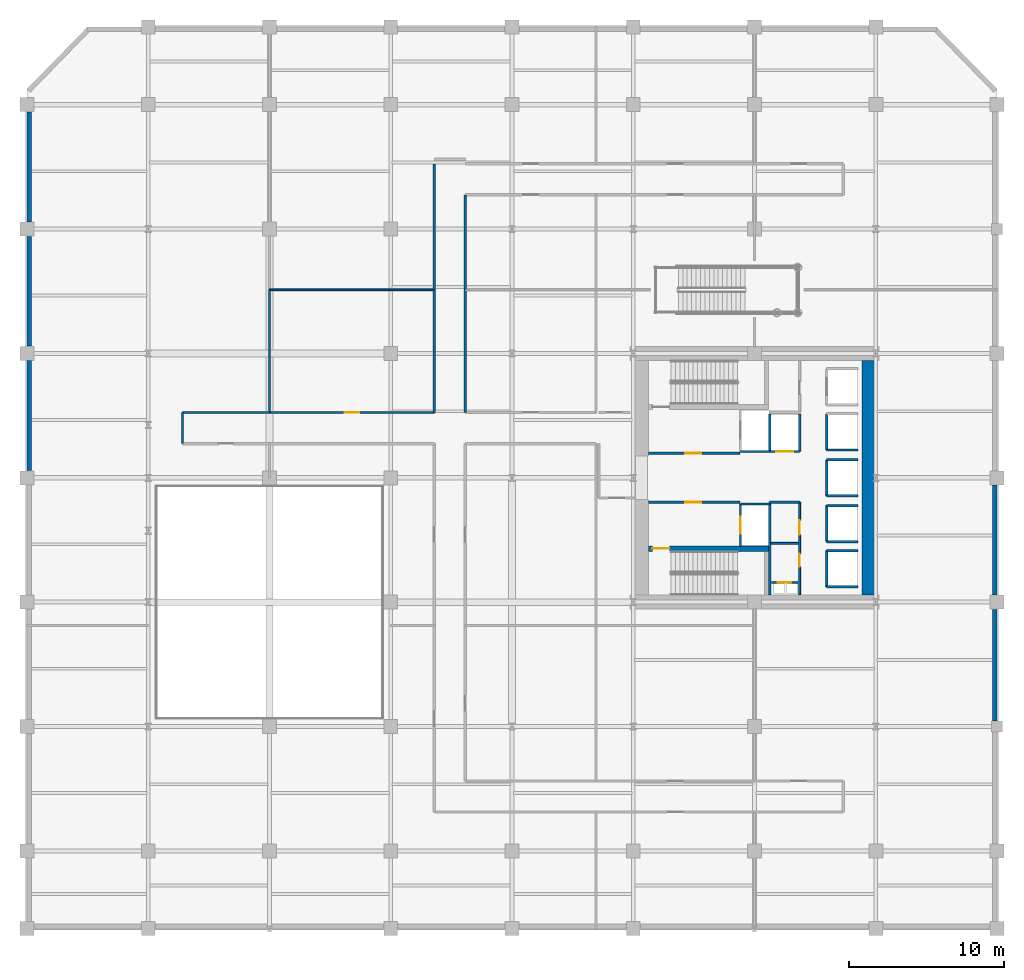
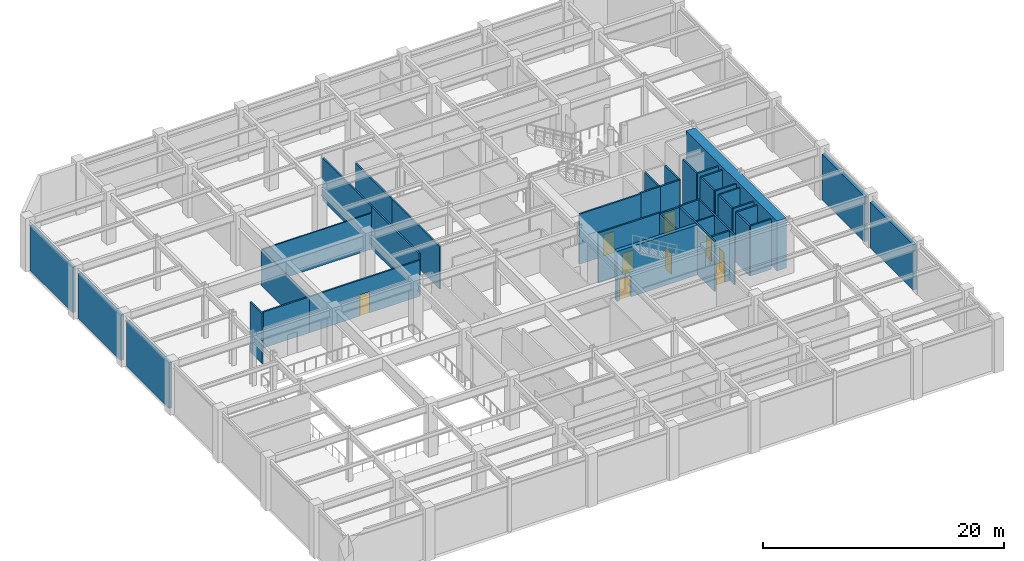
# One storey, part 9 of 13: 40 walls, 9 doors, 9 openings.
"""IFC4 building model written with IfcOpenShell, lengths in metres."""

from ifc_helpers import new_model, si_unit, direction, frame, frame_2d, origin, place, context, subcontext, project, spatial, rectangle, extrude, material, layer, layer_set, type_object, element, fill, save


model = new_model("IFC4")

# Units and contexts
model_context = context("Model", 3, precision=1e-05, world=origin(), true_north=direction((0.0, 1.0)))
body_context = subcontext(model_context, "Body", "Model", "MODEL_VIEW")
ifc_project = project(units=[si_unit("LENGTHUNIT", "METRE"), si_unit("AREAUNIT", "SQUARE_METRE"), si_unit("VOLUMEUNIT", "CUBIC_METRE"), si_unit("PLANEANGLEUNIT", "RADIAN"), si_unit("MASSUNIT", "GRAM", prefix="KILO")], contexts=[model_context])

# Site, building, storey
site_placement = place(None, origin())
site = spatial("IfcSite", under=ifc_project, at=site_placement, CompositionType="ELEMENT")
building_placement = place(site_placement, origin())
building = spatial("IfcBuilding", under=site, at=building_placement, Name="Veymaron Broadcast Tower", CompositionType="ELEMENT")
storey_placement = place(building_placement, frame((0.0, 0.0, 21.60009765625)))
storey = spatial("IfcBuildingStorey", under=building, at=storey_placement, Name="L04", CompositionType="ELEMENT", Elevation=21.60009765625)

# Walls
ifc_material_1 = material(Name="Precast concrete C40/50 with mineral-wool insulation", Category="concrete")
ifc_layer_1 = layer(ifc_material_1, 0.300048828125)
ifc_layer_set_1 = layer_set([ifc_layer_1], Name="Precast concrete C40/50 with mineral-wool insulation")
wall_type_1 = type_object("IfcWallType", Name="WALL-EXT-300", PredefinedType="STANDARD", material=ifc_layer_set_1)
wall_1_placement = place(storey_placement, frame((62.260009765625, 8.367919921875, 0.0), z_axis=(0.0, 0.0, 1.0), x_axis=(0.0, 1.0, 0.0)))
element("IfcWall", 1, at=wall_1_placement, inside=storey, type_object=wall_type_1, Name="L04 notched corner facade pier 2-3", PredefinedType="STANDARD", context=body_context, shape_type="SweptSolid", body=[
    extrude(rectangle(XDim=7.1640625, YDim=0.300048828125, at=frame_2d((3.58203125, 0.0))), origin(), (0.0, 0.0, 1.0), 4.60791015625),
])
for number, where, z_axis, x_axis, name in (
    (2, (62.260009765625, 16.468017578125, 0.0), (0.0, 0.0, 1.0), (0.0, 1.0, 0.0), "L04 notched corner facade pier 2-4"),
    (3, (0.139892578125, 47.531982421875, 0.0), (0.0, 0.0, 1.0), (0.0, -1.0, 0.0), "L04 notched corner facade pier 6-1"),
    (4, (0.139892578125, 39.531982421875, 0.0), (0.0, 0.0, 1.0), (0.0, -1.0, 0.0), "L04 notched corner facade pier 6-2"),
    (5, (0.139892578125, 31.531982421875, 0.0), (0.0, 0.0, 1.0), (0.0, -1.0, 0.0), "L04 notched corner facade pier 6-3"),
):
    element("IfcWall", number, at=place(storey_placement, frame(where, z_axis=z_axis, x_axis=x_axis)), inside=storey, type_object=wall_type_1, Name=name, PredefinedType="STANDARD", context=body_context, shape_type="SweptSolid", body=[
        extrude(rectangle(XDim=7.06396484375, YDim=0.300048828125, at=frame_2d((3.531982421875, 0.0))), origin(), (0.0, 0.0, 1.0), 4.60791015625),
    ])

# Wall, opening, door
ifc_material_2 = material(Name="Gypsum fireboard and steel stud framing", Category="steel")
ifc_layer_2 = layer(ifc_material_2, 0.14990234375)
ifc_layer_set_2 = layer_set([ifc_layer_2], Name="Gypsum fireboard and steel stud framing")
wall_type_2 = type_object("IfcWallType", Name="WALL-FIRE-150", PredefinedType="PARTITIONING", material=ifc_layer_set_2)
wall_2_placement = place(storey_placement, frame((39.97998046875, 25.574951171875, 0.0), z_axis=(0.0, 0.0, 1.0), x_axis=(1.0, 0.0, 0.0)))
wall_2 = element("IfcWall", 6, at=wall_2_placement, inside=storey, type_object=wall_type_2, Name="L04 partition IW-L04-FFLN-S", PredefinedType="PARTITIONING", context=body_context, shape_type="SweptSolid", body=[
    extrude(rectangle(XDim=5.89990234375, YDim=0.14990234375, at=frame_2d((2.949951171875, 0.0))), origin(), (0.0, 0.0, 1.0), 5.079833984375),
])
opening_1_placement = place(wall_2_placement, frame((2.35009765625, 0.0, 0.0)))
opening_1 = element("IfcOpeningElement", 7, at=opening_1_placement, cuts=wall_2, Name="Opening ID-FL1", PredefinedType="OPENING", context=body_context, shape_type="SweptSolid", body=[
    extrude(rectangle(XDim=1.050048828125, YDim=2.14990234375, at=frame_2d((0.52490234375, 1.074951171875))), frame((0.0, 0.0849609375, 0.0), z_axis=(0.0, -1.0, 0.0), x_axis=(1.0, 0.0, 0.0)), (0.0, 0.0, 1.0), 0.169921875),
])
ifc_material_3 = material(Name="Fire-rated painted hollow steel ASTM A653", Category="steel")
door_type_1 = type_object("IfcDoorType", Name="DOOR-FIRE-1050", OperationType="NOTDEFINED", PredefinedType="DOOR", material=ifc_material_3)
door_1_placement = place(opening_1_placement, origin())
door_1 = element("IfcDoor", 8, at=door_1_placement, inside=storey, type_object=door_type_1, Name="L04 door DR-L04-FFLN", OperationType="SINGLE_SWING_LEFT", OverallHeight=2.14990234375, OverallWidth=1.050048828125, PredefinedType="DOOR", context=body_context, shape_type="SweptSolid", body=[
    extrude(rectangle(XDim=1.050048828125, YDim=2.14990234375, at=frame_2d((0.52490234375, 1.074951171875))), frame((0.0, 0.02490234375, 0.0), z_axis=(0.0, -1.0, 0.0), x_axis=(1.0, 0.0, 0.0)), (0.0, 0.0, 1.0), 0.050048828125),
])
fill(opening_1, door_1)

wall_3_placement = place(storey_placement, frame((39.97998046875, 22.425048828125, 0.0), z_axis=(0.0, 0.0, 1.0), x_axis=(1.0, 0.0, 0.0)))
wall_3 = element("IfcWall", 9, at=wall_3_placement, inside=storey, type_object=wall_type_2, Name="L04 partition IW-L04-FFLS-N", PredefinedType="PARTITIONING", context=body_context, shape_type="SweptSolid", body=[
    extrude(rectangle(XDim=5.89990234375, YDim=0.14990234375, at=frame_2d((2.949951171875, 0.0))), origin(), (0.0, 0.0, 1.0), 5.079833984375),
])
opening_2_placement = place(wall_3_placement, frame((2.35009765625, 0.0, 0.0)))
opening_2 = element("IfcOpeningElement", 10, at=opening_2_placement, cuts=wall_3, Name="Opening ID-FL1", PredefinedType="OPENING", context=body_context, shape_type="SweptSolid", body=[
    extrude(rectangle(XDim=1.050048828125, YDim=2.14990234375, at=frame_2d((0.52490234375, 1.074951171875))), frame((0.0, 0.0849609375, 0.0), z_axis=(0.0, -1.0, 0.0), x_axis=(1.0, 0.0, 0.0)), (0.0, 0.0, 1.0), 0.169921875),
])
door_2_placement = place(opening_2_placement, frame((1.050048828125, 0.0, 0.0), z_axis=(0.0, 0.0, 1.0), x_axis=(-1.0, 0.0, 0.0)))
door_2 = element("IfcDoor", 11, at=door_2_placement, inside=storey, type_object=door_type_1, Name="L04 door DR-L04-FFLS", OperationType="SINGLE_SWING_RIGHT", OverallHeight=2.14990234375, OverallWidth=1.050048828125, PredefinedType="DOOR", context=body_context, shape_type="SweptSolid", body=[
    extrude(rectangle(XDim=1.050048828125, YDim=2.14990234375, at=frame_2d((0.52490234375, 1.074951171875))), frame((0.0, 0.02490234375, 0.0), z_axis=(0.0, -1.0, 0.0), x_axis=(1.0, 0.0, 0.0)), (0.0, 0.0, 1.0), 0.050048828125),
])
fill(opening_2, door_2)

# Wall
wall_4_placement = place(storey_placement, frame((45.89501953125, 25.68994140625, 0.0), z_axis=(0.0, 0.0, 1.0), x_axis=(1.0, 0.0, 0.0)))
element("IfcWall", 12, at=wall_4_placement, inside=storey, type_object=wall_type_2, Name="L04 partition IW-L04-SHS-FFL-1", PredefinedType="PARTITIONING", context=body_context, shape_type="SweptSolid", body=[
    extrude(rectangle(XDim=1.9150390625, YDim=0.14990234375, at=frame_2d((0.95751953125, 0.0))), origin(), (0.0, 0.0, 1.0), 5.079833984375),
])

# Wall, opening, door
wall_5_placement = place(storey_placement, frame((45.89501953125, 19.590087890625, 0.0), z_axis=(0.0, 0.0, 1.0), x_axis=(0.0, 1.0, 0.0)))
wall_5 = element("IfcWall", 13, at=wall_5_placement, inside=storey, type_object=wall_type_2, Name="L04 partition IW-L04-SHW-FFL-2", PredefinedType="PARTITIONING", context=body_context, shape_type="SweptSolid", body=[
    extrude(rectangle(XDim=2.719970703125, YDim=0.14990234375, at=frame_2d((1.35986328125, 0.0))), origin(), (0.0, 0.0, 1.0), 5.079833984375),
])
opening_3_placement = place(wall_5_placement, frame((0.81005859375, 0.0, 0.0)))
opening_3 = element("IfcOpeningElement", 14, at=opening_3_placement, cuts=wall_5, Name="Opening LD", PredefinedType="OPENING", context=body_context, shape_type="SweptSolid", body=[
    extrude(rectangle(XDim=1.10009765625, YDim=2.14990234375, at=frame_2d((0.550048828125, 1.074951171875))), frame((0.0, 0.0849609375, 0.0), z_axis=(0.0, -1.0, 0.0), x_axis=(1.0, 0.0, 0.0)), (0.0, 0.0, 1.0), 0.169921875),
])
ifc_material_4 = material(Name="Brushed stainless steel AISI 304", Category="steel")
door_type_2 = type_object("IfcDoorType", Name="DOOR-LIFT-1100", OperationType="DOUBLE_DOOR_SLIDING", PredefinedType="DOOR", material=ifc_material_4)
door_3_placement = place(opening_3_placement, frame((1.10009765625, 0.0, 0.0), z_axis=(0.0, 0.0, 1.0), x_axis=(-1.0, 0.0, 0.0)))
door_3 = element("IfcDoor", 15, at=door_3_placement, inside=storey, type_object=door_type_2, Name="L04 door LD-L04-FFL-2", OperationType="DOUBLE_DOOR_SLIDING", OverallHeight=2.14990234375, OverallWidth=1.10009765625, PredefinedType="DOOR", context=body_context, shape_type="SweptSolid", body=[
    extrude(rectangle(XDim=1.10009765625, YDim=2.14990234375, at=frame_2d((0.550048828125, 1.074951171875))), frame((0.0, 0.02490234375, 0.0), z_axis=(0.0, -1.0, 0.0), x_axis=(1.0, 0.0, 0.0)), (0.0, 0.0, 1.0), 0.050048828125),
])
fill(opening_3, door_3)

# Wall
wall_6_placement = place(storey_placement, frame((45.89501953125, 22.31005859375, 0.0), z_axis=(0.0, 0.0, 1.0), x_axis=(1.0, 0.0, 0.0)))
element("IfcWall", 16, at=wall_6_placement, inside=storey, type_object=wall_type_2, Name="L04 partition IW-L04-SHN-FFL-2", PredefinedType="PARTITIONING", context=body_context, shape_type="SweptSolid", body=[
    extrude(rectangle(XDim=1.9150390625, YDim=0.14990234375, at=frame_2d((0.95751953125, 0.0))), origin(), (0.0, 0.0, 1.0), 5.079833984375),
])

# Wall, opening, door
wall_7_placement = place(storey_placement, frame((47.7900390625, 25.695068359375, 0.0), z_axis=(0.0, 0.0, 1.0), x_axis=(1.0, 0.0, 0.0)))
wall_7 = element("IfcWall", 17, at=wall_7_placement, inside=storey, type_object=wall_type_2, Name="L04 partition IW-L04-SHS-SL-1", PredefinedType="PARTITIONING", context=body_context, shape_type="SweptSolid", body=[
    extrude(rectangle(XDim=1.919921875, YDim=0.14990234375, at=frame_2d((0.9599609375, 0.0))), origin(), (0.0, 0.0, 1.0), 5.079833984375),
])
opening_4_placement = place(wall_7_placement, frame((0.409912109375, 0.0, 0.0)))
opening_4 = element("IfcOpeningElement", 18, at=opening_4_placement, cuts=wall_7, Name="Opening LD", PredefinedType="OPENING", context=body_context, shape_type="SweptSolid", body=[
    extrude(rectangle(XDim=1.10009765625, YDim=2.14990234375, at=frame_2d((0.550048828125, 1.074951171875))), frame((0.0, 0.0849609375, 0.0), z_axis=(0.0, -1.0, 0.0), x_axis=(1.0, 0.0, 0.0)), (0.0, 0.0, 1.0), 0.169921875),
])
door_4_placement = place(opening_4_placement, frame((1.10009765625, 0.0, 0.0), z_axis=(0.0, 0.0, 1.0), x_axis=(-1.0, 0.0, 0.0)))
door_4 = element("IfcDoor", 19, at=door_4_placement, inside=storey, type_object=door_type_2, Name="L04 door LD-L04-SL-1", OperationType="DOUBLE_DOOR_SLIDING", OverallHeight=2.14990234375, OverallWidth=1.10009765625, PredefinedType="DOOR", context=body_context, shape_type="SweptSolid", body=[
    extrude(rectangle(XDim=1.10009765625, YDim=2.14990234375, at=frame_2d((0.550048828125, 1.074951171875))), frame((0.0, 0.02490234375, 0.0), z_axis=(0.0, -1.0, 0.0), x_axis=(1.0, 0.0, 0.0)), (0.0, 0.0, 1.0), 0.050048828125),
])
fill(opening_4, door_4)

# Walls
for number, where, z_axis, x_axis, name in (
    (20, (47.7900390625, 25.695068359375, 0.0), (0.0, 0.0, 1.0), (0.0, 1.0, 0.0), "L04 partition IW-L04-SHW-SL-1"),
    (21, (49.7099609375, 25.695068359375, 0.0), (0.0, 0.0, 1.0), (0.0, 1.0, 0.0), "L04 partition IW-L04-SHE-SL-1"),
):
    element("IfcWall", number, at=place(storey_placement, frame(where, z_axis=z_axis, x_axis=x_axis)), inside=storey, type_object=wall_type_2, Name=name, PredefinedType="PARTITIONING", context=body_context, shape_type="SweptSolid", body=[
        extrude(rectangle(XDim=2.4150390625, YDim=0.14990234375, at=frame_2d((1.20751953125, 0.0))), origin(), (0.0, 0.0, 1.0), 5.079833984375),
    ])
wall_8_placement = place(storey_placement, frame((51.445068359375, 25.7900390625, 0.0), z_axis=(0.0, 0.0, 1.0), x_axis=(0.0, 1.0, 0.0)))
element("IfcWall", 22, at=wall_8_placement, inside=storey, type_object=wall_type_2, Name="L04 partition IW-L04-SHW-PM1", PredefinedType="PARTITIONING", context=body_context, shape_type="SweptSolid", body=[
    extrude(rectangle(XDim=2.320068359375, YDim=0.14990234375, at=frame_2d((1.16015625, 0.0))), origin(), (0.0, 0.0, 1.0), 5.079833984375),
])
wall_9_placement = place(storey_placement, frame((51.445068359375, 25.7900390625, 0.0), z_axis=(0.0, 0.0, 1.0), x_axis=(1.0, 0.0, 0.0)))
element("IfcWall", 23, at=wall_9_placement, inside=storey, type_object=wall_type_2, Name="L04 partition IW-L04-SHS-PM1", PredefinedType="PARTITIONING", context=body_context, shape_type="SweptSolid", body=[
    extrude(rectangle(XDim=2.014892578125, YDim=0.14990234375, at=frame_2d((1.00732421875, 0.0))), origin(), (0.0, 0.0, 1.0), 5.079833984375),
])
wall_10_placement = place(storey_placement, frame((51.445068359375, 19.889892578125, 0.0), z_axis=(0.0, 0.0, 1.0), x_axis=(0.0, 1.0, 0.0)))
element("IfcWall", 24, at=wall_10_placement, inside=storey, type_object=wall_type_2, Name="L04 partition IW-L04-SHW-PM2", PredefinedType="PARTITIONING", context=body_context, shape_type="SweptSolid", body=[
    extrude(rectangle(XDim=2.320068359375, YDim=0.14990234375, at=frame_2d((1.16015625, 0.0))), origin(), (0.0, 0.0, 1.0), 5.079833984375),
])
for number, where, z_axis, x_axis, name in (
    (25, (51.445068359375, 19.889892578125, 0.0), (0.0, 0.0, 1.0), (1.0, 0.0, 0.0), "L04 partition IW-L04-SHS-PM2"),
    (26, (51.445068359375, 22.2099609375, 0.0), (0.0, 0.0, 1.0), (1.0, 0.0, 0.0), "L04 partition IW-L04-SHN-PM2"),
):
    element("IfcWall", number, at=place(storey_placement, frame(where, z_axis=z_axis, x_axis=x_axis)), inside=storey, type_object=wall_type_2, Name=name, PredefinedType="PARTITIONING", context=body_context, shape_type="SweptSolid", body=[
        extrude(rectangle(XDim=2.014892578125, YDim=0.14990234375, at=frame_2d((1.00732421875, 0.0))), origin(), (0.0, 0.0, 1.0), 5.079833984375),
    ])
wall_11_placement = place(storey_placement, frame((51.445068359375, 22.840087890625, 0.0), z_axis=(0.0, 0.0, 1.0), x_axis=(0.0, 1.0, 0.0)))
element("IfcWall", 27, at=wall_11_placement, inside=storey, type_object=wall_type_2, Name="L04 partition IW-L04-SHW-PM3", PredefinedType="PARTITIONING", context=body_context, shape_type="SweptSolid", body=[
    extrude(rectangle(XDim=2.31982421875, YDim=0.14990234375, at=frame_2d((1.159912109375, 0.0))), origin(), (0.0, 0.0, 1.0), 5.079833984375),
])
for number, where, z_axis, x_axis, name in (
    (28, (51.445068359375, 22.840087890625, 0.0), (0.0, 0.0, 1.0), (1.0, 0.0, 0.0), "L04 partition IW-L04-SHS-PM3"),
    (29, (51.445068359375, 25.159912109375, 0.0), (0.0, 0.0, 1.0), (1.0, 0.0, 0.0), "L04 partition IW-L04-SHN-PM3"),
):
    element("IfcWall", number, at=place(storey_placement, frame(where, z_axis=z_axis, x_axis=x_axis)), inside=storey, type_object=wall_type_2, Name=name, PredefinedType="PARTITIONING", context=body_context, shape_type="SweptSolid", body=[
        extrude(rectangle(XDim=2.014892578125, YDim=0.14990234375, at=frame_2d((1.00732421875, 0.0))), origin(), (0.0, 0.0, 1.0), 5.079833984375),
    ])
wall_12_placement = place(storey_placement, frame((51.445068359375, 16.989990234375, 0.0), z_axis=(0.0, 0.0, 1.0), x_axis=(0.0, 1.0, 0.0)))
element("IfcWall", 30, at=wall_12_placement, inside=storey, type_object=wall_type_2, Name="L04 partition IW-L04-SHW-PH1", PredefinedType="PARTITIONING", context=body_context, shape_type="SweptSolid", body=[
    extrude(rectangle(XDim=2.320068359375, YDim=0.14990234375, at=frame_2d((1.16015625, 0.0))), origin(), (0.0, 0.0, 1.0), 5.079833984375),
])
for number, where, z_axis, x_axis, name in (
    (31, (51.445068359375, 16.989990234375, 0.0), (0.0, 0.0, 1.0), (1.0, 0.0, 0.0), "L04 partition IW-L04-SHS-PH1"),
    (32, (51.445068359375, 19.31005859375, 0.0), (0.0, 0.0, 1.0), (1.0, 0.0, 0.0), "L04 partition IW-L04-SHN-PH1"),
):
    element("IfcWall", number, at=place(storey_placement, frame(where, z_axis=z_axis, x_axis=x_axis)), inside=storey, type_object=wall_type_2, Name=name, PredefinedType="PARTITIONING", context=body_context, shape_type="SweptSolid", body=[
        extrude(rectangle(XDim=2.014892578125, YDim=0.14990234375, at=frame_2d((1.00732421875, 0.0))), origin(), (0.0, 0.0, 1.0), 5.079833984375),
    ])

# Wall, opening, door
wall_13_placement = place(storey_placement, frame((47.8798828125, 17.260009765625, 0.0), z_axis=(0.0, 0.0, 1.0), x_axis=(1.0, 0.0, 0.0)))
wall_13 = element("IfcWall", 33, at=wall_13_placement, inside=storey, type_object=wall_type_2, Name="L04 partition IW-L04-RIS-N", PredefinedType="PARTITIONING", context=body_context, shape_type="SweptSolid", body=[
    extrude(rectangle(XDim=1.72021484375, YDim=0.14990234375, at=frame_2d((0.860107421875, 0.0))), origin(), (0.0, 0.0, 1.0), 5.079833984375),
])
opening_5_placement = place(wall_13_placement, frame((0.419921875, 0.0, 0.0)))
opening_5 = element("IfcOpeningElement", 34, at=opening_5_placement, cuts=wall_13, Name="Opening ID-RS1", PredefinedType="OPENING", context=body_context, shape_type="SweptSolid", body=[
    extrude(rectangle(XDim=0.85009765625, YDim=2.14990234375, at=frame_2d((0.425048828125, 1.074951171875))), frame((0.0, 0.0849609375, 0.0), z_axis=(0.0, -1.0, 0.0), x_axis=(1.0, 0.0, 0.0)), (0.0, 0.0, 1.0), 0.169921875),
])
ifc_material_5 = material(Name="Fire-rated powder-coated steel riser leaf", Category="steel")
door_type_3 = type_object("IfcDoorType", Name="DOOR-RIS-850", OperationType="NOTDEFINED", PredefinedType="TRAPDOOR", material=ifc_material_5)
door_5_placement = place(opening_5_placement, origin())
door_5 = element("IfcDoor", 35, at=door_5_placement, inside=storey, type_object=door_type_3, Name="L04 door DR-L04-RIS", OperationType="SINGLE_SWING_LEFT", OverallHeight=2.14990234375, OverallWidth=0.85009765625, PredefinedType="TRAPDOOR", context=body_context, shape_type="SweptSolid", body=[
    extrude(rectangle(XDim=0.85009765625, YDim=2.14990234375, at=frame_2d((0.425048828125, 1.074951171875))), frame((0.0, 0.02490234375, 0.0), z_axis=(0.0, -1.0, 0.0), x_axis=(1.0, 0.0, 0.0)), (0.0, 0.0, 1.0), 0.050048828125),
])
fill(opening_5, door_5)

# Walls
wall_14_placement = place(storey_placement, frame((47.760009765625, 22.425048828125, 0.0), z_axis=(0.0, 0.0, 1.0), x_axis=(1.0, 0.0, 0.0)))
element("IfcWall", 36, at=wall_14_placement, inside=storey, type_object=wall_type_2, Name="L04 partition IW-L04-SM-N", PredefinedType="PARTITIONING", context=body_context, shape_type="SweptSolid", body=[
    extrude(rectangle(XDim=1.9599609375, YDim=0.14990234375, at=frame_2d((0.97998046875, 0.0))), origin(), (0.0, 0.0, 1.0), 5.079833984375),
])
wall_15_placement = place(storey_placement, frame((47.780029296875, 16.449951171875, 0.0), z_axis=(0.0, 0.0, 1.0), x_axis=(0.0, 1.0, 0.0)))
element("IfcWall", 37, at=wall_15_placement, inside=storey, type_object=wall_type_2, Name="L04 partition IW-L04-SM-W", PredefinedType="PARTITIONING", context=body_context, shape_type="SweptSolid", body=[
    extrude(rectangle(XDim=5.97509765625, YDim=0.14990234375, at=frame_2d((2.987548828125, 0.0))), origin(), (0.0, 0.0, 1.0), 5.079833984375),
])

# Wall, opening, door
wall_16_placement = place(storey_placement, frame((15.60009765625, 28.199951171875, 0.0), z_axis=(0.0, 0.0, 1.0), x_axis=(1.0, 0.0, 0.0)))
wall_16 = element("IfcWall", 38, at=wall_16_placement, inside=storey, type_object=wall_type_2, Name="L04 partition IW-L04-P16", PredefinedType="PARTITIONING", context=body_context, shape_type="SweptSolid", body=[
    extrude(rectangle(XDim=10.599853515625, YDim=0.14990234375, at=frame_2d((5.2998046875, 0.0))), origin(), (0.0, 0.0, 1.0), 3.64794921875),
])
opening_6_placement = place(wall_16_placement, frame((4.824951171875, 0.0, 0.0)))
opening_6 = element("IfcOpeningElement", 39, at=opening_6_placement, cuts=wall_16, Name="Opening ID-RM1", PredefinedType="OPENING", context=body_context, shape_type="SweptSolid", body=[
    extrude(rectangle(XDim=0.949951171875, YDim=2.14990234375, at=frame_2d((0.47509765625, 1.074951171875))), frame((0.0, 0.0849609375, 0.0), z_axis=(0.0, -1.0, 0.0), x_axis=(1.0, 0.0, 0.0)), (0.0, 0.0, 1.0), 0.169921875),
])
ifc_material_6 = material(Name="Acoustic solid-core European oak veneer timber", Category="wood")
door_type_4 = type_object("IfcDoorType", Name="DOOR-INT-950", OperationType="NOTDEFINED", PredefinedType="DOOR", material=ifc_material_6)
door_6_placement = place(opening_6_placement, origin())
door_6 = element("IfcDoor", 40, at=door_6_placement, inside=storey, type_object=door_type_4, Name="L04 door DR-L04-P16", OperationType="SINGLE_SWING_LEFT", OverallHeight=2.14990234375, OverallWidth=0.949951171875, PredefinedType="DOOR", context=body_context, shape_type="SweptSolid", body=[
    extrude(rectangle(XDim=0.949951171875, YDim=2.14990234375, at=frame_2d((0.47509765625, 1.074951171875))), frame((0.0, 0.02490234375, 0.0), z_axis=(0.0, -1.0, 0.0), x_axis=(1.0, 0.0, 0.0)), (0.0, 0.0, 1.0), 0.050048828125),
])
fill(opening_6, door_6)

# Walls
for number, where, z_axis, x_axis, name in (
    (41, (26.199951171875, 28.199951171875, 0.0), (0.0, 0.0, 1.0), (0.0, 1.0, 0.0), "L04 partition IW-L04-P17"),
    (42, (28.199951171875, 28.199951171875, 0.0), (0.0, 0.0, 1.0), (0.0, 1.0, 0.0), "L04 partition IW-L04-P19"),
):
    element("IfcWall", number, at=place(storey_placement, frame(where, z_axis=z_axis, x_axis=x_axis)), inside=storey, type_object=wall_type_2, Name=name, PredefinedType="PARTITIONING", context=body_context, shape_type="SweptSolid", body=[
        extrude(rectangle(XDim=7.900146484375, YDim=0.14990234375, at=frame_2d((3.9501953125, 0.0))), origin(), (0.0, 0.0, 1.0), 4.2978515625),
    ])
wall_17_placement = place(storey_placement, frame((10.0, 28.199951171875, 0.0), z_axis=(0.0, 0.0, 1.0), x_axis=(1.0, 0.0, 0.0)))
element("IfcWall", 43, at=wall_17_placement, inside=storey, type_object=wall_type_2, Name="L04 partition IW-L04-P22", PredefinedType="PARTITIONING", context=body_context, shape_type="SweptSolid", body=[
    extrude(rectangle(XDim=5.60009765625, YDim=0.14990234375, at=frame_2d((2.800048828125, 0.0))), origin(), (0.0, 0.0, 1.0), 3.64794921875),
])
wall_18_placement = place(storey_placement, frame((10.0, 26.199951171875, 0.0), z_axis=(0.0, 0.0, 1.0), x_axis=(0.0, 1.0, 0.0)))
element("IfcWall", 44, at=wall_18_placement, inside=storey, type_object=wall_type_2, Name="L04 partition IW-L04-P23", PredefinedType="PARTITIONING", context=body_context, shape_type="SweptSolid", body=[
    extrude(rectangle(XDim=2.0, YDim=0.14990234375, at=frame_2d((1.0, 0.0))), origin(), (0.0, 0.0, 1.0), 5.079833984375),
])
wall_19_placement = place(storey_placement, frame((28.199951171875, 36.10009765625, 0.0), z_axis=(0.0, 0.0, 1.0), x_axis=(0.0, 1.0, 0.0)))
element("IfcWall", 45, at=wall_19_placement, inside=storey, type_object=wall_type_2, Name="L04 partition IW-L04-P25", PredefinedType="PARTITIONING", context=body_context, shape_type="SweptSolid", body=[
    extrude(rectangle(XDim=6.099853515625, YDim=0.14990234375, at=frame_2d((3.0498046875, 0.0))), origin(), (0.0, 0.0, 1.0), 4.2978515625),
])
wall_20_placement = place(storey_placement, frame((26.199951171875, 36.10009765625, 0.0), z_axis=(0.0, 0.0, 1.0), x_axis=(0.0, 1.0, 0.0)))
element("IfcWall", 46, at=wall_20_placement, inside=storey, type_object=wall_type_2, Name="L04 partition IW-L04-P31", PredefinedType="PARTITIONING", context=body_context, shape_type="SweptSolid", body=[
    extrude(rectangle(XDim=8.099853515625, YDim=0.14990234375, at=frame_2d((4.0498046875, 0.0))), origin(), (0.0, 0.0, 1.0), 4.2978515625),
])
ifc_material_7 = material(Name="Acoustic gypsum board and galvanized stud", Category="gypsum")
ifc_layer_3 = layer(ifc_material_7, 0.1201171875)
ifc_layer_set_3 = layer_set([ifc_layer_3], Name="Acoustic gypsum board and galvanized stud")
wall_type_3 = type_object("IfcWallType", Name="WALL-PART-120", PredefinedType="PARTITIONING", material=ifc_layer_set_3)
wall_21_placement = place(storey_placement, frame((47.860107421875, 19.780029296875, 0.0), z_axis=(0.0, 0.0, 1.0), x_axis=(1.0, 0.0, 0.0)))
element("IfcWall", 47, at=wall_21_placement, inside=storey, type_object=wall_type_3, Name="L04 partition IW-L04-SM-DIV", PredefinedType="PARTITIONING", context=body_context, shape_type="SweptSolid", body=[
    extrude(rectangle(XDim=1.760009765625, YDim=0.1201171875, at=frame_2d((0.8798828125, 0.0))), origin(), (0.0, 0.0, 1.0), 5.079833984375),
])

# Wall, openings, doors
wall_22_placement = place(storey_placement, frame((49.699951171875, 16.47998046875, 0.0), z_axis=(0.0, 0.0, 1.0), x_axis=(0.0, 1.0, 0.0)))
wall_22 = element("IfcWall", 48, at=wall_22_placement, inside=storey, type_object=wall_type_3, Name="L04 partition IW-L04-SM-E", PredefinedType="PARTITIONING", context=body_context, shape_type="SweptSolid", body=[
    extrude(rectangle(XDim=5.945068359375, YDim=0.1201171875, at=frame_2d((2.97265625, 0.0))), origin(), (0.0, 0.0, 1.0), 5.079833984375),
])
opening_7_placement = place(wall_22_placement, frame((1.800048828125, 0.0, 0.0)))
opening_7 = element("IfcOpeningElement", 49, at=opening_7_placement, cuts=wall_22, Name="Opening ID-WC1", PredefinedType="OPENING", context=body_context, shape_type="SweptSolid", body=[
    extrude(rectangle(XDim=0.85009765625, YDim=2.14990234375, at=frame_2d((0.425048828125, 1.074951171875))), frame((0.0, 0.070068359375, 0.0), z_axis=(0.0, -1.0, 0.0), x_axis=(1.0, 0.0, 0.0)), (0.0, 0.0, 1.0), 0.14013671875),
])
opening_8_placement = place(wall_22_placement, frame((3.85009765625, 0.0, 0.0)))
opening_8 = element("IfcOpeningElement", 50, at=opening_8_placement, cuts=wall_22, Name="Opening ID-RM1", PredefinedType="OPENING", context=body_context, shape_type="SweptSolid", body=[
    extrude(rectangle(XDim=0.949951171875, YDim=2.14990234375, at=frame_2d((0.47509765625, 1.074951171875))), frame((0.0, 0.070068359375, 0.0), z_axis=(0.0, -1.0, 0.0), x_axis=(1.0, 0.0, 0.0)), (0.0, 0.0, 1.0), 0.14013671875),
])
ifc_material_8 = material(Name="Moisture-resistant high-pressure laminate timber", Category="wood")
door_type_5 = type_object("IfcDoorType", Name="DOOR-INT-850", OperationType="NOTDEFINED", PredefinedType="DOOR", material=ifc_material_8)
door_7_placement = place(opening_7_placement, frame((0.85009765625, 0.0, 0.0), z_axis=(0.0, 0.0, 1.0), x_axis=(-1.0, 0.0, 0.0)))
door_7 = element("IfcDoor", 51, at=door_7_placement, inside=storey, type_object=door_type_5, Name="L04 door DR-L04-SWC", OperationType="SINGLE_SWING_LEFT", OverallHeight=2.14990234375, OverallWidth=0.85009765625, PredefinedType="DOOR", context=body_context, shape_type="SweptSolid", body=[
    extrude(rectangle(XDim=0.85009765625, YDim=2.14990234375, at=frame_2d((0.425048828125, 1.074951171875))), frame((0.0, 0.02490234375, 0.0), z_axis=(0.0, -1.0, 0.0), x_axis=(1.0, 0.0, 0.0)), (0.0, 0.0, 1.0), 0.050048828125),
])
fill(opening_7, door_7)
door_8_placement = place(opening_8_placement, frame((0.949951171875, 0.0, 0.0), z_axis=(0.0, 0.0, 1.0), x_axis=(-1.0, 0.0, 0.0)))
door_8 = element("IfcDoor", 52, at=door_8_placement, inside=storey, type_object=door_type_4, Name="L04 door DR-L04-AWC", OperationType="SINGLE_SWING_RIGHT", OverallHeight=2.14990234375, OverallWidth=0.949951171875, PredefinedType="DOOR", context=body_context, shape_type="SweptSolid", body=[
    extrude(rectangle(XDim=0.949951171875, YDim=2.14990234375, at=frame_2d((0.47509765625, 1.074951171875))), frame((0.0, 0.02490234375, 0.0), z_axis=(0.0, -1.0, 0.0), x_axis=(1.0, 0.0, 0.0)), (0.0, 0.0, 1.0), 0.050048828125),
])
fill(opening_8, door_8)

# Walls
wall_23_placement = place(storey_placement, frame((15.60009765625, 28.199951171875, 0.0), z_axis=(0.0, 0.0, 1.0), x_axis=(0.0, 1.0, 0.0)))
element("IfcWall", 53, at=wall_23_placement, inside=storey, type_object=wall_type_3, Name="L04 partition IW-L04-P47", PredefinedType="PARTITIONING", context=body_context, shape_type="SweptSolid", body=[
    extrude(rectangle(XDim=7.900146484375, YDim=0.1201171875, at=frame_2d((3.9501953125, 0.0))), origin(), (0.0, 0.0, 1.0), 3.64794921875),
])
wall_24_placement = place(storey_placement, frame((15.60009765625, 36.10009765625, 0.0), z_axis=(0.0, 0.0, 1.0), x_axis=(1.0, 0.0, 0.0)))
element("IfcWall", 54, at=wall_24_placement, inside=storey, type_object=wall_type_3, Name="L04 partition IW-L04-P48", PredefinedType="PARTITIONING", context=body_context, shape_type="SweptSolid", body=[
    extrude(rectangle(XDim=10.599853515625, YDim=0.1201171875, at=frame_2d((5.2998046875, 0.0))), origin(), (0.0, 0.0, 1.0), 3.64794921875),
])

# Wall, opening, door
ifc_material_9 = material(Name="Concrete C50/60", Category="concrete")
ifc_layer_4 = layer(ifc_material_9, 0.35009765625)
ifc_layer_set_4 = layer_set([ifc_layer_4], Name="Concrete C50/60")
wall_type_4 = type_object("IfcWallType", Name="WALL-SHEAR-350", PredefinedType="SHEAR", material=ifc_layer_set_4)
wall_25_placement = place(storey_placement, frame((39.97998046875, 19.445068359375, 0.0), z_axis=(0.0, 0.0, 1.0), x_axis=(1.0, 0.0, 0.0)))
wall_25 = element("IfcWall", 55, at=wall_25_placement, inside=storey, type_object=wall_type_4, Name="L04 Core Wall south stair spine", PredefinedType="SHEAR", context=body_context, shape_type="SweptSolid", body=[
    extrude(rectangle(XDim=7.7099609375, YDim=0.35009765625, at=frame_2d((3.85498046875, 0.0))), origin(), (0.0, 0.0, 1.0), 5.079833984375),
])
opening_9_placement = place(wall_25_placement, frame((0.25, 0.0, 0.0)))
opening_9 = element("IfcOpeningElement", 56, at=opening_9_placement, cuts=wall_25, Name="Opening ID-ST1", PredefinedType="OPENING", context=body_context, shape_type="SweptSolid", body=[
    extrude(rectangle(XDim=1.10009765625, YDim=2.14990234375, at=frame_2d((0.550048828125, 1.074951171875))), frame((0.0, 0.18505859375, 0.0), z_axis=(0.0, -1.0, 0.0), x_axis=(1.0, 0.0, 0.0)), (0.0, 0.0, 1.0), 0.3701171875),
])
door_type_6 = type_object("IfcDoorType", Name="DOOR-STAIR-1100", OperationType="NOTDEFINED", PredefinedType="DOOR", material=ifc_material_3)
door_9_placement = place(opening_9_placement, frame((1.10009765625, 0.0, 0.0), z_axis=(0.0, 0.0, 1.0), x_axis=(-1.0, 0.0, 0.0)))
door_9 = element("IfcDoor", 57, at=door_9_placement, inside=storey, type_object=door_type_6, Name="L04 exit stair ST2 fire door", OperationType="SINGLE_SWING_RIGHT", OverallHeight=2.14990234375, OverallWidth=1.10009765625, PredefinedType="DOOR", context=body_context, shape_type="SweptSolid", body=[
    extrude(rectangle(XDim=1.10009765625, YDim=2.14990234375, at=frame_2d((0.550048828125, 1.074951171875))), frame((0.0, 0.02490234375, 0.0), z_axis=(0.0, -1.0, 0.0), x_axis=(1.0, 0.0, 0.0)), (0.0, 0.0, 1.0), 0.050048828125),
])
fill(opening_9, door_9)

# Wall
ifc_material_10 = material(Name="Concrete C70/85", Category="concrete")
ifc_layer_5 = layer(ifc_material_10, 0.89990234375)
ifc_layer_set_5 = layer_set([ifc_layer_5], Name="Concrete C70/85")
wall_type_5 = type_object("IfcWallType", Name="WALL-SHEAR-900", PredefinedType="SHEAR", material=ifc_layer_set_5)
wall_26_placement = place(storey_placement, frame((54.14990234375, 16.449951171875, 0.0), z_axis=(0.0, 0.0, 1.0), x_axis=(0.0, 1.0, 0.0)))
element("IfcWall", 58, at=wall_26_placement, inside=storey, type_object=wall_type_5, Name="L04 Core Wall east shear", PredefinedType="SHEAR", context=body_context, shape_type="SweptSolid", body=[
    extrude(rectangle(XDim=15.10009765625, YDim=0.89990234375, at=frame_2d((7.550048828125, 0.0))), origin(), (0.0, 0.0, 1.0), 5.079833984375),
])

save(model, "model.ifc")
